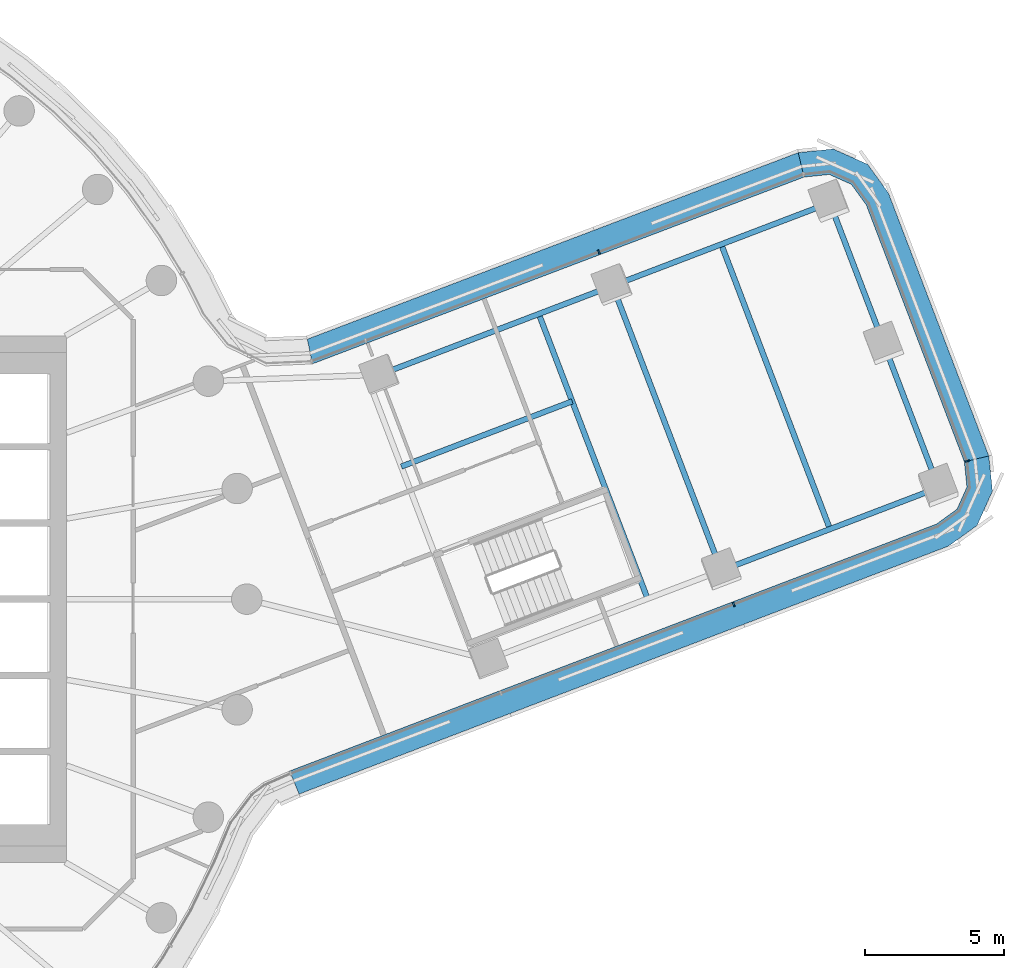
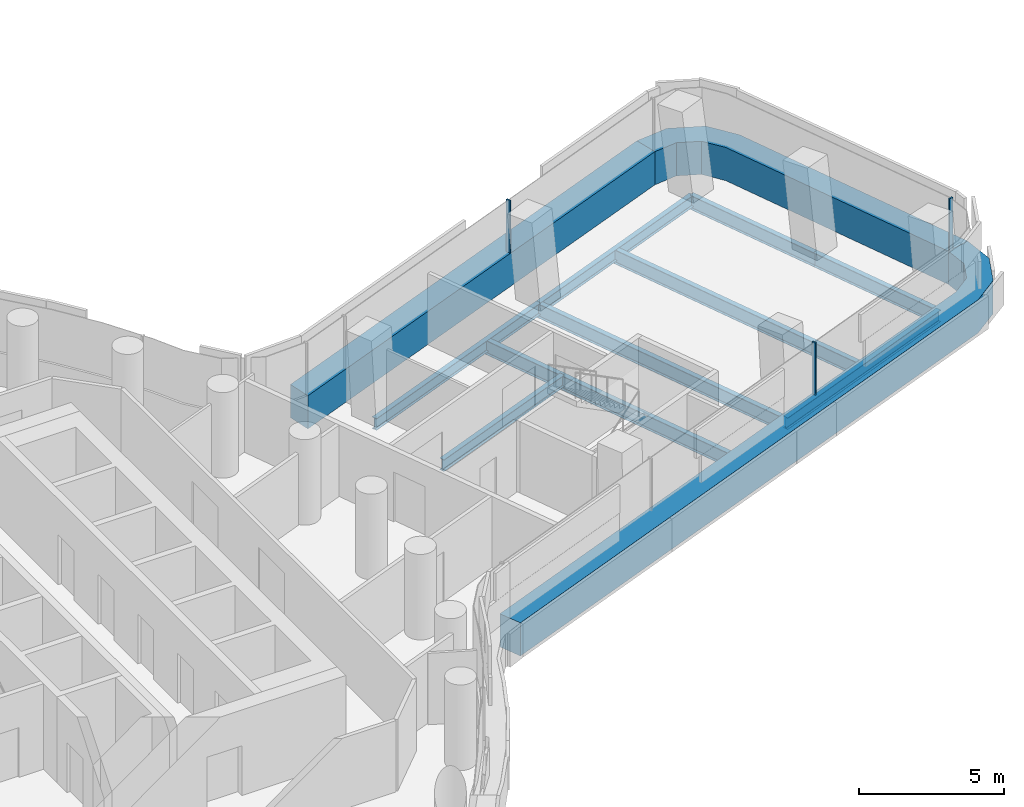
# One storey, part 12 of 32: 9 beams, 6 members, 3 elements without a shape of their own.
"""IFC4 building model written with IfcOpenShell, lengths in metres."""

from ifc_helpers import new_model, si_unit, direction, frame, origin, origin_2d, place, context, subcontext, project, spatial, polyline, rectangle, i_section, outline, extrude, material, layer, layer_set, material_profile, profile_set, type_object, element, aggregate, save


model = new_model("IFC4")

# Units and contexts
model_context = context("Model", 3, precision=1e-05, world=origin(), true_north=direction((0.0, 1.0)))
body_context = subcontext(model_context, "Body", "Model", "MODEL_VIEW")
ifc_project = project(units=[si_unit("LENGTHUNIT", "METRE"), si_unit("AREAUNIT", "SQUARE_METRE"), si_unit("VOLUMEUNIT", "CUBIC_METRE"), si_unit("PLANEANGLEUNIT", "RADIAN"), si_unit("MASSUNIT", "GRAM", prefix="KILO")], contexts=[model_context])

# Site, building, storey
site_placement = place(None, origin())
site = spatial("IfcSite", under=ifc_project, at=site_placement, CompositionType="ELEMENT")
building_placement = place(site_placement, origin())
building = spatial("IfcBuilding", under=site, at=building_placement, Name="Tamarind Cross Interchange Tower", CompositionType="ELEMENT")
storey_placement = place(building_placement, frame((0.0, 0.0, 109.75)))
storey = spatial("IfcBuildingStorey", under=building, at=storey_placement, Name="L26", CompositionType="ELEMENT", Elevation=109.75)

# Beams
ifc_material_1 = material(Name="Steel Q355B", Category="steel")
ifc_material_profile_1 = material_profile(ifc_material_1, i_section(OverallWidth=0.198974609375, OverallDepth=0.49609375, WebThickness=0.009033203125, FlangeThickness=0.013916015625, FilletRadius=0.012939453125, at=origin_2d()), Name="HN 496x199x9x14")
ifc_profile_set_1 = profile_set([ifc_material_profile_1], Name="Steel Q355B")
beam_type_1 = type_object("IfcBeamType", Name="Composite beam HN 496x199x9x14 Q355B", PredefinedType="BEAM", material=ifc_profile_set_1)
beam_1_placement = place(storey_placement, frame((47.9638671875, 4.025390625, -0.387939453125), z_axis=(-0.934231252862, -0.356667865353, 0.0), x_axis=(0.356667865353, -0.934231252862, 0.0)))
element("IfcBeam", 1, at=beam_1_placement, inside=storey, type_object=beam_type_1, Name="Beam E-edgeem5", PredefinedType="BEAM", context=body_context, shape_type="SweptSolid", body=[
    extrude(i_section(OverallWidth=0.198974609375, OverallDepth=0.49609375, WebThickness=0.009033203125, FlangeThickness=0.013916015625, FilletRadius=0.012939453125, at=origin_2d()), origin(), (0.0, 0.0, 1.0), 8.39208984375),
])
beam_2_placement = place(storey_placement, frame((44.040283203125, 14.3017578125, -0.387939453125), z_axis=(-0.934227551861, -0.356677559349, 0.0), x_axis=(0.356677559349, -0.934227551861, 0.0)))
element("IfcBeam", 2, at=beam_2_placement, inside=storey, type_object=beam_type_1, Name="Beam E-edgeep2", PredefinedType="BEAM", context=body_context, shape_type="SweptSolid", body=[
    extrude(i_section(OverallWidth=0.198974609375, OverallDepth=0.49609375, WebThickness=0.009033203125, FlangeThickness=0.013916015625, FilletRadius=0.012939453125, at=origin_2d()), origin(), (0.0, 0.0, 1.0), 8.391845703125),
])
beam_3_placement = place(storey_placement, frame((36.200439453125, 11.30859375, -0.387939453125), z_axis=(-0.934231369956, -0.356667558645, 0.0), x_axis=(0.356667558645, -0.934231369956, 0.0)))
element("IfcBeam", 3, at=beam_3_placement, inside=storey, type_object=beam_type_1, Name="Beam E-edgeep3", PredefinedType="BEAM", context=body_context, shape_type="SweptSolid", body=[
    extrude(i_section(OverallWidth=0.198974609375, OverallDepth=0.49609375, WebThickness=0.009033203125, FlangeThickness=0.013916015625, FilletRadius=0.012939453125, at=origin_2d()), origin(), (0.0, 0.0, 1.0), 8.999755859375),
])
beam_4_placement = place(storey_placement, frame((28.57568359375, 4.78515625, -0.387939453125), z_axis=(0.934233177325, 0.356662824508, 0.0), x_axis=(-0.356662824508, 0.934233177325, 0.0)))
element("IfcBeam", 4, at=beam_4_placement, inside=storey, type_object=beam_type_1, Name="Beam E-stripp", PredefinedType="BEAM", context=body_context, shape_type="SweptSolid", body=[
    extrude(i_section(OverallWidth=0.198974609375, OverallDepth=0.49609375, WebThickness=0.009033203125, FlangeThickness=0.013916015625, FilletRadius=0.012939453125, at=origin_2d()), origin(), (0.0, 0.0, 1.0), 6.60009765625),
])
ifc_material_profile_2 = material_profile(ifc_material_1, i_section(OverallWidth=0.199951171875, OverallDepth=0.60009765625, WebThickness=0.010986328125, FlangeThickness=0.01708984375, FilletRadius=0.012939453125, at=origin_2d()), Name="HN 600x200x11x17")
ifc_profile_set_2 = profile_set([ifc_material_profile_2], Name="Steel Q355B")
beam_type_2 = type_object("IfcBeamType", Name="Composite beam HN 600x200x11x17 Q355B", PredefinedType="BEAM", material=ifc_profile_set_2)
for number, where, z_axis, x_axis, name in (
    (5, (47.9638671875, 4.025390625, -0.43994140625), (-0.356711427028, 0.93421462086, 0.0), (-0.93421462086, -0.356711427028, 0.0), "Beam E-tip0"),
    (6, (46.001953125, 9.16357421875, -0.43994140625), (-0.356672685145, 0.934229412763, 0.0), (-0.934229412763, -0.356672685145, 0.0), "Beam E-tip1"),
):
    element("IfcBeam", number, at=place(storey_placement, frame(where, z_axis=z_axis, x_axis=x_axis)), inside=storey, type_object=beam_type_2, Name=name, PredefinedType="BEAM", context=body_context, shape_type="SweptSolid", body=[
        extrude(i_section(OverallWidth=0.199951171875, OverallDepth=0.60009765625, WebThickness=0.010986328125, FlangeThickness=0.01708984375, FilletRadius=0.012939453125, at=origin_2d()), origin(), (0.0, 0.0, 1.0), 5.5),
    ])
beam_5_placement = place(storey_placement, frame((37.46142578125, 0.015625, -0.43994140625), z_axis=(-0.356684660507, 0.934224840688, 0.0), x_axis=(-0.934224840688, -0.356684660507, 0.0)))
element("IfcBeam", 7, at=beam_5_placement, inside=storey, type_object=beam_type_2, Name="Beam E-x364", PredefinedType="BEAM", context=body_context, shape_type="SweptSolid", body=[
    extrude(i_section(OverallWidth=0.199951171875, OverallDepth=0.60009765625, WebThickness=0.010986328125, FlangeThickness=0.01708984375, FilletRadius=0.012939453125, at=origin_2d()), origin(), (0.0, 0.0, 1.0), 11.000244140625),
])
for number, where, z_axis, x_axis, name in (
    (8, (40.123779296875, 1.0322265625, -0.43994140625), (-0.356672685145, 0.934229412763, 0.0), (-0.934229412763, -0.356672685145, 0.0), "Beam E-x393"),
    (9, (44.043701171875, 2.52880859375, -0.43994140625), (-0.356672685145, 0.934229412763, 0.0), (-0.934229412763, -0.356672685145, 0.0), "Beam E-x435"),
):
    element("IfcBeam", number, at=place(storey_placement, frame(where, z_axis=z_axis, x_axis=x_axis)), inside=storey, type_object=beam_type_2, Name=name, PredefinedType="BEAM", context=body_context, shape_type="SweptSolid", body=[
        extrude(i_section(OverallWidth=0.199951171875, OverallDepth=0.60009765625, WebThickness=0.010986328125, FlangeThickness=0.01708984375, FilletRadius=0.012939453125, at=origin_2d()), origin(), (0.0, 0.0, 1.0), 10.999755859375),
    ])

# Curtain wall, member
ifc_material_2 = material(Name="Aluminium 6063-T6", Category="aluminium")
ifc_layer = layer(ifc_material_2, 0.159912109375)
ifc_layer_set = layer_set([ifc_layer], Name="Aluminium 6063-T6")
curtain_wall_type = type_object("IfcCurtainWallType", Name="Office curtain wall, 9.0 m bays", PredefinedType="NOTDEFINED", material=ifc_layer_set)
curtain_wall_1_placement = place(storey_placement, origin())
curtain_wall_1 = element("IfcCurtainWall", 10, at=curtain_wall_1_placement, inside=storey, type_object=curtain_wall_type, Name="CWS-L26-07", PredefinedType="NOTDEFINED")
ifc_material_3 = material(Name="Aluminium and insulated spandrel panel", Category="aluminium")
member_type_1 = type_object("IfcMemberType", Name="Floor-edge blade transom", PredefinedType="USERDEFINED", material=ifc_material_3)
member_1_placement = place(storey_placement, origin())
member_1 = element("IfcMember", 11, at=member_1_placement, type_object=member_type_1, Name="CWT-L26-07", ObjectType="TRANSOM", PredefinedType="USERDEFINED", context=body_context, shape_type="SweptSolid", body=[
    extrude(outline(polyline([(24.543212890625, -6.20068359375), (47.8876953125, 2.7119140625), (48.62939453125, 3.24853515625), (48.986328125, 4.046875), (48.892333984375, 4.957275390625), (49.775390625, 5.167724609375), (49.906494140625, 3.8994140625), (49.352294921875, 2.660888671875), (48.3193359375, 1.913330078125), (24.885498046875, -7.033447265625), (24.543212890625, -6.20068359375)])), origin(), (0.0, 0.0, 1.0), 1.39990234375),
])

curtain_wall_2_placement = place(storey_placement, origin())
curtain_wall_2 = element("IfcCurtainWall", 12, at=curtain_wall_2_placement, inside=storey, type_object=curtain_wall_type, Name="CWS-L26-08", PredefinedType="NOTDEFINED")
member_2_placement = place(storey_placement, origin())
member_2 = element("IfcMember", 13, at=member_2_placement, type_object=member_type_1, Name="CWT-L26-08", ObjectType="TRANSOM", PredefinedType="USERDEFINED", context=body_context, shape_type="SweptSolid", body=[
    extrude(outline(polyline([(48.892333984375, 4.957275390625), (45.353759765625, 14.225830078125), (44.817138671875, 14.96728515625), (44.018798828125, 15.324462890625), (43.108154296875, 15.23046875), (42.8984375, 16.113525390625), (44.166259765625, 16.24462890625), (45.40478515625, 15.6904296875), (46.15234375, 14.657470703125), (49.775390625, 5.167724609375), (48.892333984375, 4.957275390625)])), origin(), (0.0, 0.0, 1.0), 1.39990234375),
])

curtain_wall_3_placement = place(storey_placement, origin())
curtain_wall_3 = element("IfcCurtainWall", 14, at=curtain_wall_3_placement, inside=storey, type_object=curtain_wall_type, Name="CWS-L26-09", PredefinedType="NOTDEFINED")
member_3_placement = place(storey_placement, origin())
member_3 = element("IfcMember", 15, at=member_3_placement, type_object=member_type_1, Name="CWT-L26-09", ObjectType="TRANSOM", PredefinedType="USERDEFINED", context=body_context, shape_type="SweptSolid", body=[
    extrude(outline(polyline([(43.108154296875, 15.23046875), (25.366455078125, 8.4892578125), (25.182861328125, 9.38232421875), (42.8984375, 16.113525390625), (43.108154296875, 15.23046875)])), origin(), (0.0, 0.0, 1.0), 1.39990234375),
])

# Member
ifc_material_profile_3 = material_profile(ifc_material_2, rectangle(XDim=0.06005859375, YDim=0.159912109375, at=origin_2d()), Name="Mullion CW1")
ifc_profile_set_3 = profile_set([ifc_material_profile_3], Name="Aluminium 6063-T6")
member_type_2 = type_object("IfcMemberType", Name="Mullion CW1", PredefinedType="MULLION", material=ifc_profile_set_3)
member_4_placement = place(storey_placement, frame((40.5693359375, -0.189208984375, 1.39990234375), z_axis=(0.0, 0.0, 1.0), x_axis=(0.934229377055, 0.356672778674, 0.0)))
member_4 = element("IfcMember", 16, at=member_4_placement, type_object=member_type_2, Name="CWM-L26-07-02", PredefinedType="MULLION", context=body_context, shape_type="SweptSolid", body=[
    extrude(rectangle(XDim=0.06005859375, YDim=0.159912109375, at=origin_2d()), origin(), (0.0, 0.0, 1.0), 2.210205078125),
])

aggregate(curtain_wall_1, [member_4, member_1])

member_5_placement = place(storey_placement, frame((48.990478515625, 4.980712890625, 1.39990234375), z_axis=(0.0, 0.0, 1.0), x_axis=(-0.231679990362, 0.972792054895, 0.0)))
member_5 = element("IfcMember", 17, at=member_5_placement, type_object=member_type_2, Name="CWM-L26-08-00", PredefinedType="MULLION", context=body_context, shape_type="SweptSolid", body=[
    extrude(rectangle(XDim=0.06005859375, YDim=0.159912109375, at=origin_2d()), origin(), (0.0, 0.0, 1.0), 2.210205078125),
])

aggregate(curtain_wall_2, [member_5, member_2])

member_6_placement = place(storey_placement, frame((35.705078125, 12.524658203125, 1.39990234375), z_axis=(0.0, 0.0, 1.0), x_axis=(-0.934795735228, -0.355185773082, 0.0)))
member_6 = element("IfcMember", 18, at=member_6_placement, type_object=member_type_2, Name="CWM-L26-09-01", PredefinedType="MULLION", context=body_context, shape_type="SweptSolid", body=[
    extrude(rectangle(XDim=0.06005859375, YDim=0.159912109375, at=origin_2d()), origin(), (0.0, 0.0, 1.0), 2.210205078125),
])

aggregate(curtain_wall_3, [member_6, member_3])

save(model, "model.ifc")
